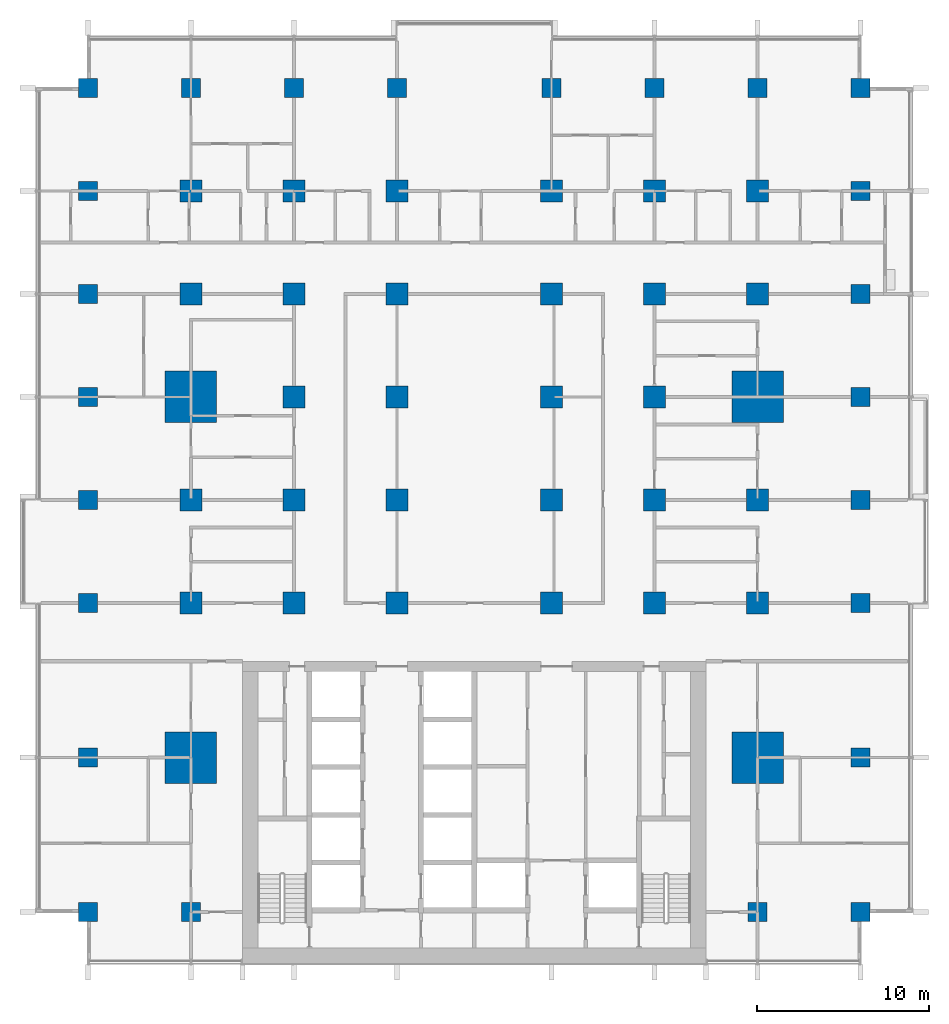
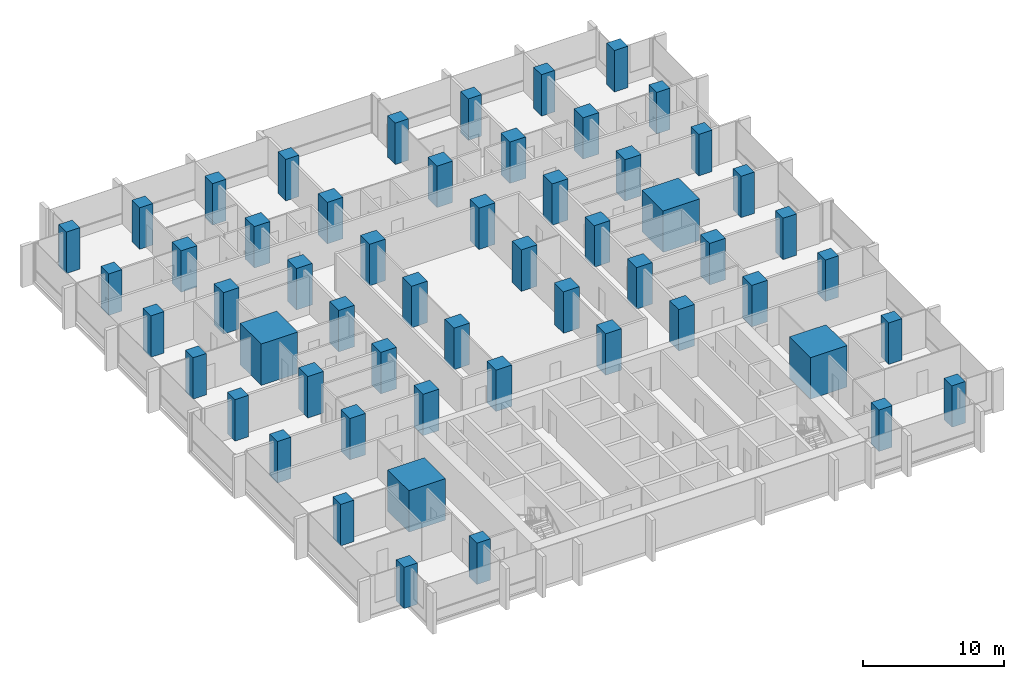
# One storey, part 1 of 18: 56 columns.
"""IFC4 building model written with IfcOpenShell, lengths in metres."""

from ifc_helpers import new_model, si_unit, direction, frame, origin, origin_2d, place, context, subcontext, project, spatial, rectangle, extrude, material, material_profile, profile_set, type_object, element, save


model = new_model("IFC4")

# Units and contexts
model_context = context("Model", 3, precision=1e-05, world=origin(), true_north=direction((0.0, 1.0)))
body_context = subcontext(model_context, "Body", "Model", "MODEL_VIEW")
ifc_project = project(units=[si_unit("LENGTHUNIT", "METRE"), si_unit("AREAUNIT", "SQUARE_METRE"), si_unit("VOLUMEUNIT", "CUBIC_METRE"), si_unit("PLANEANGLEUNIT", "RADIAN"), si_unit("MASSUNIT", "GRAM", prefix="KILO")], contexts=[model_context])

# Site, building, storey
site_placement = place(None, origin())
site = spatial("IfcSite", under=ifc_project, at=site_placement, CompositionType="ELEMENT")
building_placement = place(site_placement, origin())
building = spatial("IfcBuilding", under=site, at=building_placement, Name="Finial Court Residences", CompositionType="ELEMENT")
storey_placement = place(building_placement, frame((0.0, 0.0, 54.10009765625)))
storey = spatial("IfcBuildingStorey", under=building, at=storey_placement, Name="L12", CompositionType="ELEMENT", Elevation=54.10009765625)

# Columns
ifc_material = material(Name="Concrete C80/95", Category="concrete")
ifc_material_profile_1 = material_profile(ifc_material, rectangle(XDim=1.300048828125, YDim=1.300048828125, at=origin_2d()), Name="1300x1300")
ifc_profile_set_1 = profile_set([ifc_material_profile_1], Name="Concrete C80/95")
column_type_1 = type_object("IfcColumnType", Name="Interior column 1300x1300 Concrete C80/95", PredefinedType="COLUMN", material=ifc_profile_set_1)
for number, where, z_axis, x_axis, name in (
    (1, (-16.5, -4.5, 0.0), (0.0, 0.0, 1.0), (1.0, 0.0, 0.0), "S:COL:L12:C4"),
    (2, (-16.5, 1.5, 0.0), (0.0, 0.0, 1.0), (1.0, 0.0, 0.0), "S:COL:L12:C5"),
    (3, (-16.5, 13.5, 0.0), (0.0, 0.0, 1.0), (1.0, 0.0, 0.0), "S:COL:L12:C7"),
    (4, (-16.5, 19.5, 0.0), (0.0, 0.0, 1.0), (1.0, 0.0, 0.0), "S:COL:L12:C8"),
    (5, (-10.5, -4.5, 0.0), (0.0, 0.0, 1.0), (1.0, 0.0, 0.0), "S:COL:L12:D4"),
    (6, (-10.5, 1.5, 0.0), (0.0, 0.0, 1.0), (1.0, 0.0, 0.0), "S:COL:L12:D5"),
    (7, (-10.5, 7.5, 0.0), (0.0, 0.0, 1.0), (1.0, 0.0, 0.0), "S:COL:L12:D6"),
    (8, (-10.5, 13.5, 0.0), (0.0, 0.0, 1.0), (1.0, 0.0, 0.0), "S:COL:L12:D7"),
    (9, (-10.5, 19.5, 0.0), (0.0, 0.0, 1.0), (1.0, 0.0, 0.0), "S:COL:L12:D8"),
    (10, (-4.5, -4.5, 0.0), (0.0, 0.0, 1.0), (1.0, 0.0, 0.0), "S:COL:L12:E4"),
    (11, (-4.5, 1.5, 0.0), (0.0, 0.0, 1.0), (1.0, 0.0, 0.0), "S:COL:L12:E5"),
    (12, (-4.5, 7.5, 0.0), (0.0, 0.0, 1.0), (1.0, 0.0, 0.0), "S:COL:L12:E6"),
    (13, (-4.5, 13.5, 0.0), (0.0, 0.0, 1.0), (1.0, 0.0, 0.0), "S:COL:L12:E7"),
    (14, (-4.5, 19.5, 0.0), (0.0, 0.0, 1.0), (1.0, 0.0, 0.0), "S:COL:L12:E8"),
    (15, (4.5, -4.5, 0.0), (0.0, 0.0, 1.0), (1.0, 0.0, 0.0), "S:COL:L12:F4"),
    (16, (4.5, 1.5, 0.0), (0.0, 0.0, 1.0), (1.0, 0.0, 0.0), "S:COL:L12:F5"),
    (17, (4.5, 7.5, 0.0), (0.0, 0.0, 1.0), (1.0, 0.0, 0.0), "S:COL:L12:F6"),
    (18, (4.5, 13.5, 0.0), (0.0, 0.0, 1.0), (1.0, 0.0, 0.0), "S:COL:L12:F7"),
    (19, (4.5, 19.5, 0.0), (0.0, 0.0, 1.0), (1.0, 0.0, 0.0), "S:COL:L12:F8"),
    (20, (10.5, -4.5, 0.0), (0.0, 0.0, 1.0), (1.0, 0.0, 0.0), "S:COL:L12:G4"),
    (21, (10.5, 1.5, 0.0), (0.0, 0.0, 1.0), (1.0, 0.0, 0.0), "S:COL:L12:G5"),
    (22, (10.5, 7.5, 0.0), (0.0, 0.0, 1.0), (1.0, 0.0, 0.0), "S:COL:L12:G6"),
    (23, (10.5, 13.5, 0.0), (0.0, 0.0, 1.0), (1.0, 0.0, 0.0), "S:COL:L12:G7"),
    (24, (10.5, 19.5, 0.0), (0.0, 0.0, 1.0), (1.0, 0.0, 0.0), "S:COL:L12:G8"),
    (25, (16.5, -4.5, 0.0), (0.0, 0.0, 1.0), (1.0, 0.0, 0.0), "S:COL:L12:H4"),
    (26, (16.5, 1.5, 0.0), (0.0, 0.0, 1.0), (1.0, 0.0, 0.0), "S:COL:L12:H5"),
    (27, (16.5, 13.5, 0.0), (0.0, 0.0, 1.0), (1.0, 0.0, 0.0), "S:COL:L12:H7"),
    (28, (16.5, 19.5, 0.0), (0.0, 0.0, 1.0), (1.0, 0.0, 0.0), "S:COL:L12:H8"),
):
    element("IfcColumn", number, at=place(storey_placement, frame(where, z_axis=z_axis, x_axis=x_axis)), inside=storey, type_object=column_type_1, Name=name, PredefinedType="COLUMN", context=body_context, shape_type="SweptSolid", body=[
        extrude(rectangle(XDim=1.300048828125, YDim=1.300048828125, at=origin_2d()), origin(), (0.0, 0.0, 1.0), 3.599853515625),
    ])
ifc_material_profile_2 = material_profile(ifc_material, rectangle(XDim=3.0, YDim=3.0, at=origin_2d()), Name="3000x3000")
ifc_profile_set_2 = profile_set([ifc_material_profile_2], Name="Concrete C80/95")
column_type_2 = type_object("IfcColumnType", Name="Mega column 3000x3000 Concrete C80/95", PredefinedType="COLUMN", material=ifc_profile_set_2)
for number, where, z_axis, x_axis, name in (
    (29, (-16.5, -13.5, 0.0), (0.0, 0.0, 1.0), (1.0, 0.0, 0.0), "S:COL:L12:C3"),
    (30, (-16.5, 7.5, 0.0), (0.0, 0.0, 1.0), (1.0, 0.0, 0.0), "S:COL:L12:C6"),
    (31, (16.5, -13.5, 0.0), (0.0, 0.0, 1.0), (1.0, 0.0, 0.0), "S:COL:L12:H3"),
    (32, (16.5, 7.5, 0.0), (0.0, 0.0, 1.0), (1.0, 0.0, 0.0), "S:COL:L12:H6"),
):
    element("IfcColumn", number, at=place(storey_placement, frame(where, z_axis=z_axis, x_axis=x_axis)), inside=storey, type_object=column_type_2, Name=name, PredefinedType="COLUMN", context=body_context, shape_type="SweptSolid", body=[
        extrude(rectangle(XDim=3.0, YDim=3.0, at=origin_2d()), origin(), (0.0, 0.0, 1.0), 3.599853515625),
    ])
ifc_material_profile_3 = material_profile(ifc_material, rectangle(XDim=1.10009765625, YDim=1.10009765625, at=origin_2d()), Name="1100x1100")
ifc_profile_set_3 = profile_set([ifc_material_profile_3], Name="Concrete C80/95")
column_type_3 = type_object("IfcColumnType", Name="Perimeter column 1100x1100 Concrete C80/95", PredefinedType="COLUMN", material=ifc_profile_set_3)
for number, where, z_axis, x_axis, name in (
    (33, (-22.5, -22.5, 0.0), (0.0, 0.0, 1.0), (1.0, 0.0, 0.0), "S:COL:L12:B2"),
    (34, (-22.5, -13.5, 0.0), (0.0, 0.0, 1.0), (1.0, 0.0, 0.0), "S:COL:L12:B3"),
    (35, (-22.5, -4.5, 0.0), (0.0, 0.0, 1.0), (1.0, 0.0, 0.0), "S:COL:L12:B4"),
    (36, (-22.5, 1.5, 0.0), (0.0, 0.0, 1.0), (1.0, 0.0, 0.0), "S:COL:L12:B5"),
    (37, (-22.5, 7.5, 0.0), (0.0, 0.0, 1.0), (1.0, 0.0, 0.0), "S:COL:L12:B6"),
    (38, (-22.5, 13.5, 0.0), (0.0, 0.0, 1.0), (1.0, 0.0, 0.0), "S:COL:L12:B7"),
    (39, (-22.5, 19.5, 0.0), (0.0, 0.0, 1.0), (1.0, 0.0, 0.0), "S:COL:L12:B8"),
    (40, (-22.5, 25.5, 0.0), (0.0, 0.0, 1.0), (1.0, 0.0, 0.0), "S:COL:L12:B9"),
    (41, (-16.5, -22.5, 0.0), (0.0, 0.0, 1.0), (1.0, 0.0, 0.0), "S:COL:L12:C2"),
    (42, (-16.5, 25.5, 0.0), (0.0, 0.0, 1.0), (1.0, 0.0, 0.0), "S:COL:L12:C9"),
    (43, (-10.5, 25.5, 0.0), (0.0, 0.0, 1.0), (1.0, 0.0, 0.0), "S:COL:L12:D9"),
    (44, (-4.5, 25.5, 0.0), (0.0, 0.0, 1.0), (1.0, 0.0, 0.0), "S:COL:L12:E9"),
    (45, (4.5, 25.5, 0.0), (0.0, 0.0, 1.0), (1.0, 0.0, 0.0), "S:COL:L12:F9"),
    (46, (10.5, 25.5, 0.0), (0.0, 0.0, 1.0), (1.0, 0.0, 0.0), "S:COL:L12:G9"),
    (47, (16.5, -22.5, 0.0), (0.0, 0.0, 1.0), (1.0, 0.0, 0.0), "S:COL:L12:H2"),
    (48, (16.5, 25.5, 0.0), (0.0, 0.0, 1.0), (1.0, 0.0, 0.0), "S:COL:L12:H9"),
    (49, (22.5, -22.5, 0.0), (0.0, 0.0, 1.0), (1.0, 0.0, 0.0), "S:COL:L12:I2"),
    (50, (22.5, -13.5, 0.0), (0.0, 0.0, 1.0), (1.0, 0.0, 0.0), "S:COL:L12:I3"),
    (51, (22.5, -4.5, 0.0), (0.0, 0.0, 1.0), (1.0, 0.0, 0.0), "S:COL:L12:I4"),
    (52, (22.5, 1.5, 0.0), (0.0, 0.0, 1.0), (1.0, 0.0, 0.0), "S:COL:L12:I5"),
    (53, (22.5, 7.5, 0.0), (0.0, 0.0, 1.0), (1.0, 0.0, 0.0), "S:COL:L12:I6"),
    (54, (22.5, 13.5, 0.0), (0.0, 0.0, 1.0), (1.0, 0.0, 0.0), "S:COL:L12:I7"),
    (55, (22.5, 19.5, 0.0), (0.0, 0.0, 1.0), (1.0, 0.0, 0.0), "S:COL:L12:I8"),
    (56, (22.5, 25.5, 0.0), (0.0, 0.0, 1.0), (1.0, 0.0, 0.0), "S:COL:L12:I9"),
):
    element("IfcColumn", number, at=place(storey_placement, frame(where, z_axis=z_axis, x_axis=x_axis)), inside=storey, type_object=column_type_3, Name=name, PredefinedType="COLUMN", context=body_context, shape_type="SweptSolid", body=[
        extrude(rectangle(XDim=1.10009765625, YDim=1.10009765625, at=origin_2d()), origin(), (0.0, 0.0, 1.0), 3.599853515625),
    ])

save(model, "model.ifc")
